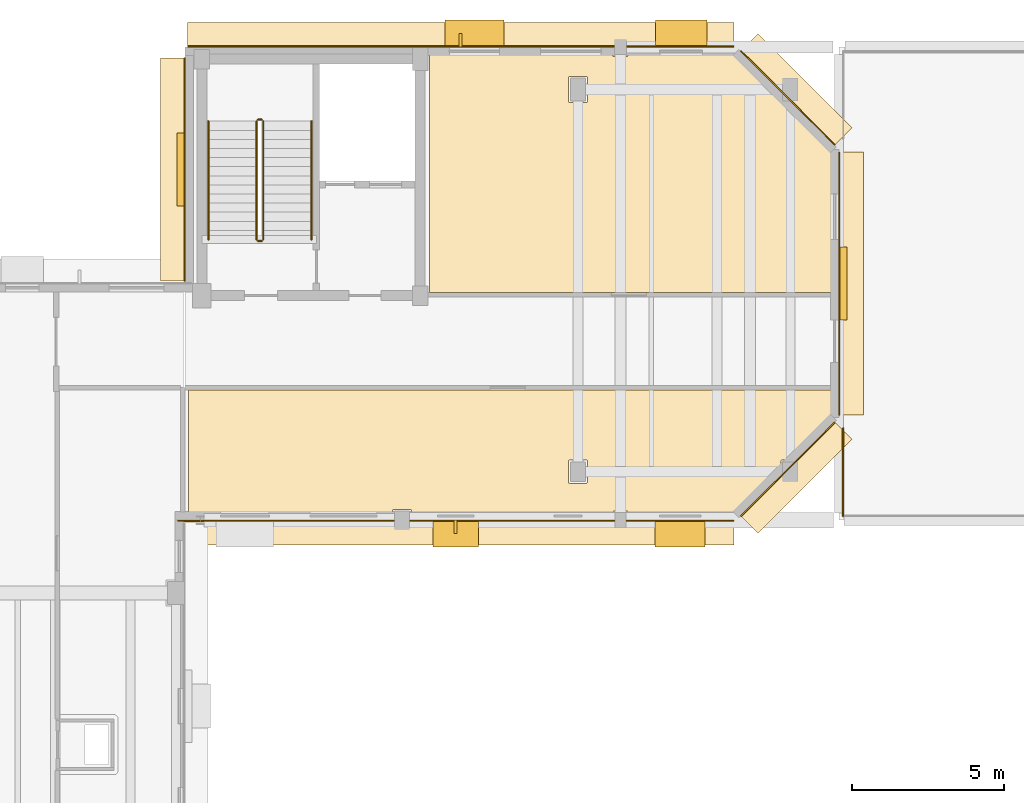
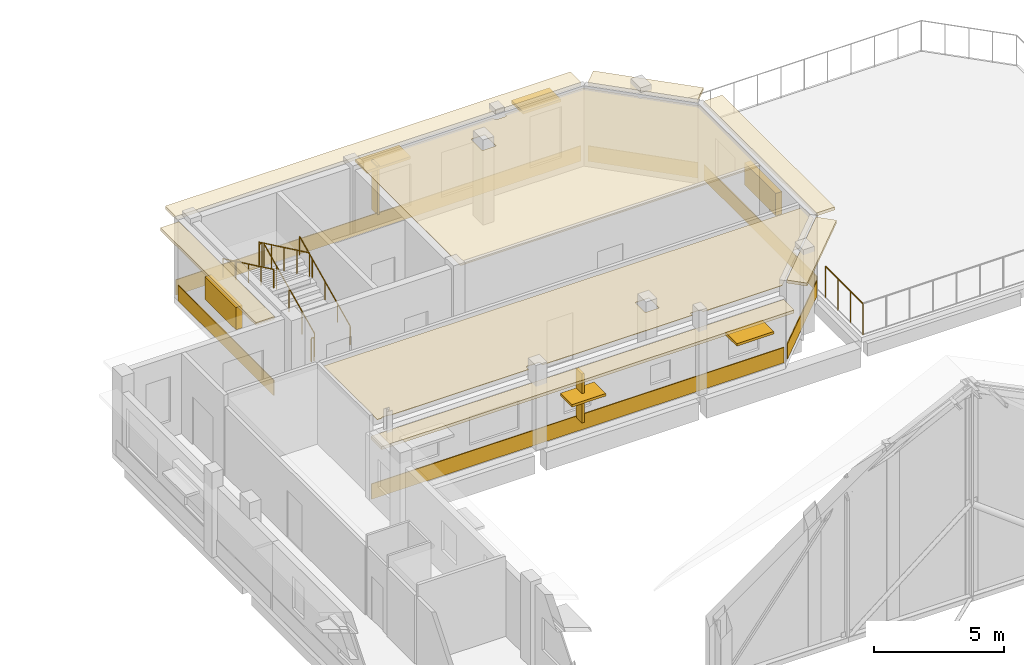
# One storey, part 77 of 78: 14 coverings, 8 shading devices, 7 railings.
"""IFC4 building model written with IfcOpenShell, lengths in metres."""

from ifc_helpers import new_model, si_unit, direction, frame, origin, origin_2d, place, context, subcontext, project, spatial, polyline, rectangle, circle, outline, extrude, material, layer, layer_set, type_object, element, save


model = new_model("IFC4")

# Units and contexts
model_context = context("Model", 3, precision=1e-05, world=origin(), true_north=direction((0.0, 1.0)))
body_context = subcontext(model_context, "Body", "Model", "MODEL_VIEW")
ifc_project = project(units=[si_unit("LENGTHUNIT", "METRE"), si_unit("AREAUNIT", "SQUARE_METRE"), si_unit("VOLUMEUNIT", "CUBIC_METRE"), si_unit("PLANEANGLEUNIT", "RADIAN"), si_unit("MASSUNIT", "GRAM", prefix="KILO")], contexts=[model_context])

# Site, building, storey
site_placement = place(None, origin())
site = spatial("IfcSite", under=ifc_project, at=site_placement, CompositionType="ELEMENT")
building_placement = place(site_placement, origin())
building = spatial("IfcBuilding", under=site, at=building_placement, Name="Kelanivale Promenade Academy", CompositionType="ELEMENT")
storey_placement = place(building_placement, frame((0.0, 0.0, 16.199951171875)))
storey = spatial("IfcBuildingStorey", under=building, at=storey_placement, Name="L04", CompositionType="ELEMENT", Elevation=16.199951171875)

# Coverings
ifc_material_1 = material(Name="Warm ivory Art Deco stucco frieze band 40 mm", Category="masonry")
ifc_layer_1 = layer(ifc_material_1, 0.0400390625)
ifc_layer_set_1 = layer_set([ifc_layer_1], Name="Warm ivory Art Deco stucco frieze band 40 mm")
covering_type_1 = type_object("IfcCoveringType", Name="COV-CLD2 Warm ivory Art Deco stucco frieze ba", PredefinedType="CLADDING", material=ifc_layer_set_1)
covering_1_placement = place(storey_placement, frame((131.76806640625, 96.0, 2.865234375), z_axis=(0.0, 0.0, 1.0), x_axis=(1.0, 0.0, 0.0)))
element("IfcCovering", 1, at=covering_1_placement, inside=storey, type_object=covering_type_1, Name="Art Deco projecting 820 mm streamline sunshade eyebrow ledge", PredefinedType="CLADDING", context=body_context, shape_type="SweptSolid", body=[
    extrude(rectangle(XDim=18.3369140625, YDim=0.820068359375, at=origin_2d()), origin(), (0.0, 0.0, 1.0), 0.139892578125),
])
covering_2_placement = place(storey_placement, frame((131.76806640625, 96.385009765625, 0.06005859375), z_axis=(0.0, 0.0, 1.0), x_axis=(1.0, 0.0, 0.0)))
element("IfcCovering", 2, at=covering_2_placement, inside=storey, type_object=covering_type_1, Name="Art Deco ivory stucco sill frieze band", PredefinedType="CLADDING", context=body_context, shape_type="SweptSolid", body=[
    extrude(rectangle(XDim=18.3369140625, YDim=0.0400390625, at=origin_2d()), origin(), (0.0, 0.0, 1.0), 0.719970703125),
])
covering_3_placement = place(storey_placement, frame((142.991943359375, 97.80810546875, 3.6201171875), z_axis=(0.0, 0.0, 1.0), x_axis=(0.707106781187, 0.707106781187, 0.0)))
element("IfcCovering", 3, at=covering_3_placement, inside=storey, type_object=covering_type_1, Name="Art Deco projecting 820 mm streamline sunshade eyebrow ledge", PredefinedType="CLADDING", context=body_context, shape_type="SweptSolid", body=[
    extrude(rectangle(XDim=4.381103515625, YDim=0.820068359375, at=origin_2d()), origin(), (0.0, 0.0, 1.0), 0.139892578125),
])
covering_4_placement = place(storey_placement, frame((142.719970703125, 98.080078125, 0.06005859375), z_axis=(0.0, 0.0, 1.0), x_axis=(0.707106781187, 0.707106781187, 0.0)))
element("IfcCovering", 4, at=covering_4_placement, inside=storey, type_object=covering_type_1, Name="Art Deco ivory stucco sill frieze band", PredefinedType="CLADDING", context=body_context, shape_type="SweptSolid", body=[
    extrude(rectangle(XDim=4.381103515625, YDim=0.0400390625, at=origin_2d()), origin(), (0.0, 0.0, 1.0), 0.719970703125),
])
covering_5_placement = place(storey_placement, frame((144.800048828125, 104.199951171875, 3.6201171875), z_axis=(0.0, 0.0, 1.0), x_axis=(0.0, 1.0, 0.0)))
element("IfcCovering", 5, at=covering_5_placement, inside=storey, type_object=covering_type_1, Name="Art Deco projecting 820 mm streamline sunshade eyebrow ledge", PredefinedType="CLADDING", context=body_context, shape_type="SweptSolid", body=[
    extrude(rectangle(XDim=8.674072265625, YDim=0.820068359375, at=origin_2d()), origin(), (0.0, 0.0, 1.0), 0.139892578125),
])
covering_6_placement = place(storey_placement, frame((144.4150390625, 104.199951171875, 0.06005859375), z_axis=(0.0, 0.0, 1.0), x_axis=(0.0, 1.0, 0.0)))
element("IfcCovering", 6, at=covering_6_placement, inside=storey, type_object=covering_type_1, Name="Art Deco ivory stucco sill frieze band", PredefinedType="CLADDING", context=body_context, shape_type="SweptSolid", body=[
    extrude(rectangle(XDim=8.674072265625, YDim=0.0400390625, at=origin_2d()), origin(), (0.0, 0.0, 1.0), 0.719970703125),
])
covering_7_placement = place(storey_placement, frame((142.991943359375, 110.592041015625, 3.6201171875), z_axis=(0.0, 0.0, 1.0), x_axis=(-0.707106781187, 0.707106781187, 0.0)))
element("IfcCovering", 7, at=covering_7_placement, inside=storey, type_object=covering_type_1, Name="Art Deco projecting 820 mm streamline sunshade eyebrow ledge", PredefinedType="CLADDING", context=body_context, shape_type="SweptSolid", body=[
    extrude(rectangle(XDim=4.381103515625, YDim=0.820068359375, at=origin_2d()), origin(), (0.0, 0.0, 1.0), 0.139892578125),
])
covering_8_placement = place(storey_placement, frame((142.719970703125, 110.320068359375, 0.06005859375), z_axis=(0.0, 0.0, 1.0), x_axis=(-0.707106781187, 0.707106781187, 0.0)))
element("IfcCovering", 8, at=covering_8_placement, inside=storey, type_object=covering_type_1, Name="Art Deco ivory stucco sill frieze band", PredefinedType="CLADDING", context=body_context, shape_type="SweptSolid", body=[
    extrude(rectangle(XDim=4.381103515625, YDim=0.0400390625, at=origin_2d()), origin(), (0.0, 0.0, 1.0), 0.719970703125),
])
covering_9_placement = place(storey_placement, frame((131.93310546875, 112.39990234375, 3.6201171875), z_axis=(0.0, 0.0, 1.0), x_axis=(-1.0, 0.0, 0.0)))
element("IfcCovering", 9, at=covering_9_placement, inside=storey, type_object=covering_type_1, Name="Art Deco projecting 820 mm streamline sunshade eyebrow ledge", PredefinedType="CLADDING", context=body_context, shape_type="SweptSolid", body=[
    extrude(rectangle(XDim=18.007080078125, YDim=0.820068359375, at=origin_2d()), origin(), (0.0, 0.0, 1.0), 0.139892578125),
])
covering_10_placement = place(storey_placement, frame((131.93310546875, 112.014892578125, 0.06005859375), z_axis=(0.0, 0.0, 1.0), x_axis=(-1.0, 0.0, 0.0)))
element("IfcCovering", 10, at=covering_10_placement, inside=storey, type_object=covering_type_1, Name="Art Deco ivory stucco sill frieze band", PredefinedType="CLADDING", context=body_context, shape_type="SweptSolid", body=[
    extrude(rectangle(XDim=18.007080078125, YDim=0.0400390625, at=origin_2d()), origin(), (0.0, 0.0, 1.0), 0.719970703125),
])
covering_11_placement = place(storey_placement, frame((122.449951171875, 107.9599609375, 3.6201171875), z_axis=(0.0, 0.0, 1.0), x_axis=(0.0, -1.0, 0.0)))
element("IfcCovering", 11, at=covering_11_placement, inside=storey, type_object=covering_type_1, Name="Art Deco projecting 820 mm streamline sunshade eyebrow ledge", PredefinedType="CLADDING", context=body_context, shape_type="SweptSolid", body=[
    extrude(rectangle(XDim=7.360107421875, YDim=0.820068359375, at=origin_2d()), origin(), (0.0, 0.0, 1.0), 0.139892578125),
])
covering_12_placement = place(storey_placement, frame((122.8349609375, 107.9599609375, 0.06005859375), z_axis=(0.0, 0.0, 1.0), x_axis=(0.0, -1.0, 0.0)))
element("IfcCovering", 12, at=covering_12_placement, inside=storey, type_object=covering_type_1, Name="Art Deco ivory stucco sill frieze band", PredefinedType="CLADDING", context=body_context, shape_type="SweptSolid", body=[
    extrude(rectangle(XDim=7.360107421875, YDim=0.0400390625, at=origin_2d()), origin(), (0.0, 0.0, 1.0), 0.719970703125),
])
ifc_material_2 = material(Name="Acoustic mineral-fibre ceiling tile 25 mm", Category="gypsum")
ifc_layer_2 = layer(ifc_material_2, 0.02490234375)
ifc_layer_set_2 = layer_set([ifc_layer_2], Name="Acoustic mineral-fibre ceiling tile 25 mm")
covering_type_2 = type_object("IfcCoveringType", Name="COV-CLG1 Acoustic mineral-fibre ceiling tile ", PredefinedType="CEILING", material=ifc_layer_set_2)
covering_13_placement = place(storey_placement, frame((0.0, 0.0, 3.550048828125)))
element("IfcCovering", 13, at=covering_13_placement, inside=storey, type_object=covering_type_2, Name="Advanced Chemistry Laboratory acoustic suspended ceiling", PredefinedType="CEILING", context=body_context, shape_type="SweptSolid", body=[
    extrude(outline(polyline([(144.25, 99.843017578125), (144.25, 100.68994140625), (122.9599609375, 100.68994140625), (122.9599609375, 96.550048828125), (123.1630859375, 96.550048828125), (123.1630859375, 96.551025390625), (123.1630859375, 96.554931640625), (123.1640625, 96.55908203125), (123.166015625, 96.56201171875), (123.1669921875, 96.56591796875), (123.1689453125, 96.569091796875), (123.172119140625, 96.572021484375), (123.174072265625, 96.574951171875), (123.177001953125, 96.577880859375), (123.179931640625, 96.580078125), (123.18408203125, 96.58203125), (123.18701171875, 96.583984375), (123.19091796875, 96.5849609375), (123.195068359375, 96.5859375), (123.198974609375, 96.5869140625), (123.202880859375, 96.5869140625), (123.4970703125, 96.5869140625), (123.5009765625, 96.5869140625), (123.5048828125, 96.5859375), (123.509033203125, 96.5849609375), (123.512939453125, 96.583984375), (123.51611328125, 96.58203125), (123.52001953125, 96.580078125), (123.52294921875, 96.577880859375), (123.52587890625, 96.574951171875), (123.528076171875, 96.572021484375), (123.531005859375, 96.569091796875), (123.532958984375, 96.56591796875), (123.533935546875, 96.56201171875), (123.535888671875, 96.55908203125), (123.537109375, 96.554931640625), (123.537109375, 96.551025390625), (123.537109375, 96.550048828125), (129.68994140625, 96.550048828125), (129.68994140625, 96.719970703125), (129.68994140625, 96.72412109375), (129.69091796875, 96.72802734375), (129.69189453125, 96.73193359375), (129.693115234375, 96.735107421875), (129.695068359375, 96.739013671875), (129.697021484375, 96.741943359375), (129.698974609375, 96.7451171875), (129.701904296875, 96.748046875), (129.705078125, 96.7509765625), (129.7080078125, 96.7529296875), (129.7109375, 96.7548828125), (129.715087890625, 96.757080078125), (129.718017578125, 96.758056640625), (129.721923828125, 96.759033203125), (129.72607421875, 96.760009765625), (129.72998046875, 96.760009765625), (130.27001953125, 96.760009765625), (130.27392578125, 96.760009765625), (130.278076171875, 96.759033203125), (130.281982421875, 96.758056640625), (130.284912109375, 96.757080078125), (130.2890625, 96.7548828125), (130.2919921875, 96.7529296875), (130.294921875, 96.7509765625), (130.298095703125, 96.748046875), (130.301025390625, 96.7451171875), (130.302978515625, 96.741943359375), (130.304931640625, 96.739013671875), (130.306884765625, 96.735107421875), (130.30810546875, 96.73193359375), (130.30908203125, 96.72802734375), (130.31005859375, 96.72412109375), (130.31005859375, 96.719970703125), (130.31005859375, 96.550048828125), (136.965087890625, 96.550048828125), (136.965087890625, 96.669921875), (136.965087890625, 96.674072265625), (136.966064453125, 96.677978515625), (136.967041015625, 96.681884765625), (136.968017578125, 96.68505859375), (136.969970703125, 96.68896484375), (136.971923828125, 96.69189453125), (136.97412109375, 96.695068359375), (136.97705078125, 96.697998046875), (136.97998046875, 96.700927734375), (136.98291015625, 96.702880859375), (136.986083984375, 96.705078125), (136.989990234375, 96.70703125), (136.992919921875, 96.7080078125), (136.9970703125, 96.708984375), (137.0009765625, 96.7099609375), (137.0048828125, 96.7099609375), (137.39501953125, 96.7099609375), (137.39892578125, 96.7099609375), (137.403076171875, 96.708984375), (137.406982421875, 96.7080078125), (137.409912109375, 96.70703125), (137.4140625, 96.705078125), (137.4169921875, 96.702880859375), (137.419921875, 96.700927734375), (137.423095703125, 96.697998046875), (137.426025390625, 96.695068359375), (137.427978515625, 96.69189453125), (137.429931640625, 96.68896484375), (137.431884765625, 96.68505859375), (137.43310546875, 96.681884765625), (137.43408203125, 96.677978515625), (137.43505859375, 96.674072265625), (137.43505859375, 96.669921875), (137.43505859375, 96.550048828125), (140.95703125, 96.550048828125), (142.489990234375, 98.0830078125), (142.489990234375, 98.344970703125), (142.489990234375, 98.34912109375), (142.490966796875, 98.35302734375), (142.491943359375, 98.35693359375), (142.492919921875, 98.360107421875), (142.4951171875, 98.364013671875), (142.4970703125, 98.366943359375), (142.4990234375, 98.3701171875), (142.501953125, 98.373046875), (142.5048828125, 98.3759765625), (142.508056640625, 98.3779296875), (142.510986328125, 98.3798828125), (142.514892578125, 98.382080078125), (142.51806640625, 98.383056640625), (142.52197265625, 98.384033203125), (142.52587890625, 98.385009765625), (142.530029296875, 98.385009765625), (142.7919921875, 98.385009765625), (144.25, 99.843017578125)]), holes=[polyline([(136.110107421875, 97.655029296875), (136.110107421875, 97.65087890625), (136.10888671875, 97.64697265625), (136.10791015625, 97.64306640625), (136.10693359375, 97.639892578125), (136.10498046875, 97.635986328125), (136.10302734375, 97.633056640625), (136.10107421875, 97.6298828125), (136.097900390625, 97.626953125), (136.094970703125, 97.6240234375), (136.092041015625, 97.6220703125), (136.089111328125, 97.6201171875), (136.0849609375, 97.617919921875), (136.08203125, 97.616943359375), (136.077880859375, 97.615966796875), (136.073974609375, 97.614990234375), (136.070068359375, 97.614990234375), (135.530029296875, 97.614990234375), (135.52587890625, 97.614990234375), (135.52197265625, 97.615966796875), (135.51806640625, 97.616943359375), (135.514892578125, 97.617919921875), (135.510986328125, 97.6201171875), (135.508056640625, 97.6220703125), (135.5048828125, 97.6240234375), (135.501953125, 97.626953125), (135.4990234375, 97.6298828125), (135.4970703125, 97.633056640625), (135.4951171875, 97.635986328125), (135.492919921875, 97.639892578125), (135.491943359375, 97.64306640625), (135.490966796875, 97.64697265625), (135.489990234375, 97.65087890625), (135.489990234375, 97.655029296875), (135.489990234375, 98.344970703125), (135.489990234375, 98.34912109375), (135.490966796875, 98.35302734375), (135.491943359375, 98.35693359375), (135.492919921875, 98.360107421875), (135.4951171875, 98.364013671875), (135.4970703125, 98.366943359375), (135.4990234375, 98.3701171875), (135.501953125, 98.373046875), (135.5048828125, 98.3759765625), (135.508056640625, 98.3779296875), (135.510986328125, 98.3798828125), (135.514892578125, 98.382080078125), (135.51806640625, 98.383056640625), (135.52197265625, 98.384033203125), (135.52587890625, 98.385009765625), (135.530029296875, 98.385009765625), (136.070068359375, 98.385009765625), (136.073974609375, 98.385009765625), (136.077880859375, 98.384033203125), (136.08203125, 98.383056640625), (136.0849609375, 98.382080078125), (136.089111328125, 98.3798828125), (136.092041015625, 98.3779296875), (136.094970703125, 98.3759765625), (136.097900390625, 98.373046875), (136.10107421875, 98.3701171875), (136.10302734375, 98.366943359375), (136.10498046875, 98.364013671875), (136.10693359375, 98.360107421875), (136.10791015625, 98.35693359375), (136.10888671875, 98.35302734375), (136.110107421875, 98.34912109375), (136.110107421875, 98.344970703125), (136.110107421875, 97.655029296875)])]), origin(), (0.0, 0.0, 1.0), 0.02490234375),
])
covering_14_placement = place(storey_placement, frame((0.0, 0.0, 3.550048828125)))
element("IfcCovering", 14, at=covering_14_placement, inside=storey, type_object=covering_type_2, Name="Senior Biology Research Studio acoustic suspended ceiling", PredefinedType="CEILING", context=body_context, shape_type="SweptSolid", body=[
    extrude(outline(polyline([(144.25, 108.556884765625), (142.64208984375, 110.1650390625), (142.530029296875, 110.1650390625), (142.52587890625, 110.1650390625), (142.52197265625, 110.166015625), (142.51806640625, 110.1669921875), (142.514892578125, 110.16796875), (142.510986328125, 110.169921875), (142.508056640625, 110.172119140625), (142.5048828125, 110.174072265625), (142.501953125, 110.177001953125), (142.4990234375, 110.179931640625), (142.4970703125, 110.18310546875), (142.4951171875, 110.18603515625), (142.492919921875, 110.18994140625), (142.491943359375, 110.193115234375), (142.490966796875, 110.197021484375), (142.489990234375, 110.200927734375), (142.489990234375, 110.205078125), (142.489990234375, 110.31689453125), (140.95703125, 111.85009765625), (137.4599609375, 111.85009765625), (137.4599609375, 111.72998046875), (137.4599609375, 111.72607421875), (137.458984375, 111.721923828125), (137.4580078125, 111.718017578125), (137.45703125, 111.715087890625), (137.455078125, 111.7109375), (137.452880859375, 111.7080078125), (137.450927734375, 111.705078125), (137.447998046875, 111.701904296875), (137.445068359375, 111.698974609375), (137.44189453125, 111.697021484375), (137.43896484375, 111.695068359375), (137.43505859375, 111.693115234375), (137.431884765625, 111.69189453125), (137.427978515625, 111.69091796875), (137.424072265625, 111.68994140625), (137.419921875, 111.68994140625), (136.97998046875, 111.68994140625), (136.97607421875, 111.68994140625), (136.971923828125, 111.69091796875), (136.968017578125, 111.69189453125), (136.965087890625, 111.693115234375), (136.9609375, 111.695068359375), (136.9580078125, 111.697021484375), (136.955078125, 111.698974609375), (136.951904296875, 111.701904296875), (136.948974609375, 111.705078125), (136.947021484375, 111.7080078125), (136.945068359375, 111.7109375), (136.943115234375, 111.715087890625), (136.94189453125, 111.718017578125), (136.94091796875, 111.721923828125), (136.93994140625, 111.72607421875), (136.93994140625, 111.72998046875), (136.93994140625, 111.85009765625), (130.909912109375, 111.85009765625), (130.909912109375, 103.909912109375), (144.25, 103.909912109375), (144.25, 108.556884765625)]), holes=[polyline([(136.070068359375, 111.034912109375), (136.073974609375, 111.034912109375), (136.077880859375, 111.033935546875), (136.08203125, 111.032958984375), (136.0849609375, 111.031982421875), (136.089111328125, 111.030029296875), (136.092041015625, 111.028076171875), (136.094970703125, 111.02587890625), (136.097900390625, 111.02294921875), (136.10107421875, 111.02001953125), (136.10302734375, 111.01708984375), (136.10498046875, 111.013916015625), (136.10693359375, 111.010009765625), (136.10791015625, 111.007080078125), (136.10888671875, 111.0029296875), (136.110107421875, 110.9990234375), (136.110107421875, 110.9951171875), (136.110107421875, 110.205078125), (136.110107421875, 110.200927734375), (136.10888671875, 110.197021484375), (136.10791015625, 110.193115234375), (136.10693359375, 110.18994140625), (136.10498046875, 110.18603515625), (136.10302734375, 110.18310546875), (136.10107421875, 110.179931640625), (136.097900390625, 110.177001953125), (136.094970703125, 110.174072265625), (136.092041015625, 110.172119140625), (136.089111328125, 110.169921875), (136.0849609375, 110.16796875), (136.08203125, 110.1669921875), (136.077880859375, 110.166015625), (136.073974609375, 110.1650390625), (136.070068359375, 110.1650390625), (135.530029296875, 110.1650390625), (135.52587890625, 110.1650390625), (135.52197265625, 110.166015625), (135.51806640625, 110.1669921875), (135.514892578125, 110.16796875), (135.510986328125, 110.169921875), (135.508056640625, 110.172119140625), (135.5048828125, 110.174072265625), (135.501953125, 110.177001953125), (135.4990234375, 110.179931640625), (135.4970703125, 110.18310546875), (135.4951171875, 110.18603515625), (135.492919921875, 110.18994140625), (135.491943359375, 110.193115234375), (135.490966796875, 110.197021484375), (135.489990234375, 110.200927734375), (135.489990234375, 110.205078125), (135.489990234375, 110.9951171875), (135.489990234375, 110.9990234375), (135.490966796875, 111.0029296875), (135.491943359375, 111.007080078125), (135.492919921875, 111.010009765625), (135.4951171875, 111.013916015625), (135.4970703125, 111.01708984375), (135.4990234375, 111.02001953125), (135.501953125, 111.02294921875), (135.5048828125, 111.02587890625), (135.508056640625, 111.028076171875), (135.510986328125, 111.030029296875), (135.514892578125, 111.031982421875), (135.51806640625, 111.032958984375), (135.52197265625, 111.033935546875), (135.52587890625, 111.034912109375), (135.530029296875, 111.034912109375), (136.070068359375, 111.034912109375)])]), origin(), (0.0, 0.0, 1.0), 0.02490234375),
])

# Railings
ifc_material_3 = material(Name="Brushed stainless steel grade 316", Category="steel")
railing_type_1 = type_object("IfcRailingType", Name="GR-01 Stair Guard 1100mm", PredefinedType="BALUSTRADE", material=ifc_material_3)
railing_1_placement = place(storey_placement, frame((125.425048828125, 105.655029296875, 0.142822265625)))
element("IfcRailing", 15, at=railing_1_placement, inside=storey, type_object=railing_type_1, Name="L04 ST-05 stair guard 1", PredefinedType="BALUSTRADE", context=body_context, shape_type="SweptSolid", body=[
    extrude(circle(Radius=0.02392578125, at=origin_2d()), frame((0.0, 0.0, 1.09619140625), z_axis=(0.0, 0.902853205547, 0.429948937937), x_axis=(-1.0, 0.0, 0.0)), (0.0, 0.0, 1.0), 4.319580078125),
    extrude(circle(Radius=0.02099609375, at=origin_2d()), origin(), (0.0, 0.0, 1.0), 1.072021484375),
    extrude(circle(Radius=0.02099609375, at=origin_2d()), frame((0.0, 0.97509765625, 0.46435546875)), (0.0, 0.0, 1.0), 1.072021484375),
    extrude(circle(Radius=0.02099609375, at=origin_2d()), frame((0.0, 1.949951171875, 0.9287109375)), (0.0, 0.0, 1.0), 1.072021484375),
    extrude(circle(Radius=0.02099609375, at=origin_2d()), frame((0.0, 2.9248046875, 1.392822265625)), (0.0, 0.0, 1.0), 1.072021484375),
    extrude(circle(Radius=0.02099609375, at=origin_2d()), frame((0.0, 3.89990234375, 1.857177734375)), (0.0, 0.0, 1.0), 1.072021484375),
])
railing_2_placement = place(storey_placement, frame((125.375, 109.60498046875, 2.0)))
element("IfcRailing", 16, at=railing_2_placement, inside=storey, type_object=railing_type_1, Name="L04 ST-05 stair guard 2", PredefinedType="BALUSTRADE", context=body_context, shape_type="SweptSolid", body=[
    extrude(circle(Radius=0.02392578125, at=origin_2d()), frame((0.0, 0.0, 1.09619140625), z_axis=(-1.0, 0.0, 0.0), x_axis=(0.0, -1.0, 0.0)), (0.0, 0.0, 1.0), 0.1201171875),
    extrude(circle(Radius=0.02099609375, at=origin_2d()), origin(), (0.0, 0.0, 1.0), 1.072021484375),
    extrude(circle(Radius=0.02099609375, at=origin_2d()), frame((-0.1201171875, 0.0, 0.0)), (0.0, 0.0, 1.0), 1.072021484375),
])
railing_3_placement = place(storey_placement, frame((125.205078125, 109.554931640625, 2.142822265625)))
element("IfcRailing", 17, at=railing_3_placement, inside=storey, type_object=railing_type_1, Name="L04 ST-05 stair guard 3", PredefinedType="BALUSTRADE", context=body_context, shape_type="SweptSolid", body=[
    extrude(circle(Radius=0.02392578125, at=origin_2d()), frame((0.0, 0.0, 1.09619140625), z_axis=(0.0, -0.902853205547, 0.429948937937), x_axis=(1.0, 0.0, 0.0)), (0.0, 0.0, 1.0), 4.319580078125),
    extrude(circle(Radius=0.02099609375, at=origin_2d()), origin(), (0.0, 0.0, 1.0), 1.072021484375),
    extrude(circle(Radius=0.02099609375, at=origin_2d()), frame((0.0, -0.97509765625, 0.46435546875)), (0.0, 0.0, 1.0), 1.072021484375),
    extrude(circle(Radius=0.02099609375, at=origin_2d()), frame((0.0, -1.949951171875, 0.9287109375)), (0.0, 0.0, 1.0), 1.072021484375),
    extrude(circle(Radius=0.02099609375, at=origin_2d()), frame((0.0, -2.9248046875, 1.392822265625)), (0.0, 0.0, 1.0), 1.072021484375),
    extrude(circle(Radius=0.02099609375, at=origin_2d()), frame((0.0, -3.89990234375, 1.857177734375)), (0.0, 0.0, 1.0), 1.072021484375),
])
railing_4_placement = place(storey_placement, frame((125.375, 105.60498046875, 0.0)))
element("IfcRailing", 18, at=railing_4_placement, inside=storey, type_object=railing_type_1, Name="L04 ST-05 stair guard 4", PredefinedType="BALUSTRADE", context=body_context, shape_type="SweptSolid", body=[
    extrude(circle(Radius=0.02392578125, at=origin_2d()), frame((0.0, 0.0, 1.09619140625), z_axis=(-1.0, 0.0, 0.0), x_axis=(0.0, -1.0, 0.0)), (0.0, 0.0, 1.0), 0.1201171875),
    extrude(circle(Radius=0.02099609375, at=origin_2d()), origin(), (0.0, 0.0, 1.0), 1.072021484375),
    extrude(circle(Radius=0.02099609375, at=origin_2d()), frame((-0.1201171875, 0.0, 0.0)), (0.0, 0.0, 1.0), 1.072021484375),
])
ifc_material_4 = material(Name="Powder-coated galvanized steel and stainless top rail", Category="steel")
railing_type_2 = type_object("IfcRailingType", Name="GR-02 Play Deck Balustrade 1500mm", PredefinedType="BALUSTRADE", material=ifc_material_4)
railing_5_placement = place(storey_placement, frame((144.5400390625, 96.5400390625, 0.0)))
element("IfcRailing", 19, at=railing_5_placement, inside=storey, type_object=railing_type_2, Name="Science Mezzanine Rooftop Play Deck 1500 mm safety balustrade", PredefinedType="BALUSTRADE", context=body_context, shape_type="SweptSolid", body=[
    extrude(circle(Radius=0.02392578125, at=origin_2d()), frame((0.0, 0.0, 1.47607421875), z_axis=(0.0, 1.0, 0.0), x_axis=(-1.0, 0.0, 0.0)), (0.0, 0.0, 1.0), 2.885986328125),
    extrude(circle(Radius=0.02099609375, at=origin_2d()), origin(), (0.0, 0.0, 1.0), 1.451904296875),
    extrude(circle(Radius=0.02099609375, at=origin_2d()), frame((0.0, 0.9619140625, 0.0)), (0.0, 0.0, 1.0), 1.451904296875),
    extrude(circle(Radius=0.02099609375, at=origin_2d()), frame((0.0, 1.924072265625, 0.0)), (0.0, 0.0, 1.0), 1.451904296875),
    extrude(circle(Radius=0.02099609375, at=origin_2d()), frame((0.0, 2.885986328125, 0.0)), (0.0, 0.0, 1.0), 1.451904296875),
])
railing_type_3 = type_object("IfcRailingType", Name="HR-01 Pitch Handrail 900mm", PredefinedType="HANDRAIL", material=ifc_material_3)
railing_6_placement = place(storey_placement, frame((127.014892578125, 105.655029296875, 0.142822265625)))
element("IfcRailing", 20, at=railing_6_placement, inside=storey, type_object=railing_type_3, Name="L04 ST-05 stair handrail 1", PredefinedType="HANDRAIL", context=body_context, shape_type="SweptSolid", body=[
    extrude(circle(Radius=0.02392578125, at=origin_2d()), frame((0.0, 0.0, 0.8759765625), z_axis=(0.0, 0.902853205547, 0.429948937937), x_axis=(-1.0, 0.0, 0.0)), (0.0, 0.0, 1.0), 4.319580078125),
    extrude(circle(Radius=0.02099609375, at=origin_2d()), origin(), (0.0, 0.0, 1.0), 0.851806640625),
    extrude(circle(Radius=0.02099609375, at=origin_2d()), frame((0.0, 0.97509765625, 0.46435546875)), (0.0, 0.0, 1.0), 0.851806640625),
    extrude(circle(Radius=0.02099609375, at=origin_2d()), frame((0.0, 1.949951171875, 0.9287109375)), (0.0, 0.0, 1.0), 0.851806640625),
    extrude(circle(Radius=0.02099609375, at=origin_2d()), frame((0.0, 2.9248046875, 1.392822265625)), (0.0, 0.0, 1.0), 0.851806640625),
    extrude(circle(Radius=0.02099609375, at=origin_2d()), frame((0.0, 3.89990234375, 1.857177734375)), (0.0, 0.0, 1.0), 0.851806640625),
])
railing_7_placement = place(storey_placement, frame((123.614990234375, 109.554931640625, 2.142822265625)))
element("IfcRailing", 21, at=railing_7_placement, inside=storey, type_object=railing_type_3, Name="L04 ST-05 stair handrail 2", PredefinedType="HANDRAIL", context=body_context, shape_type="SweptSolid", body=[
    extrude(circle(Radius=0.02392578125, at=origin_2d()), frame((0.0, 0.0, 0.8759765625), z_axis=(0.0, -0.902853205547, 0.429948937937), x_axis=(1.0, 0.0, 0.0)), (0.0, 0.0, 1.0), 4.319580078125),
    extrude(circle(Radius=0.02099609375, at=origin_2d()), origin(), (0.0, 0.0, 1.0), 0.851806640625),
    extrude(circle(Radius=0.02099609375, at=origin_2d()), frame((0.0, -0.97509765625, 0.46435546875)), (0.0, 0.0, 1.0), 0.851806640625),
    extrude(circle(Radius=0.02099609375, at=origin_2d()), frame((0.0, -1.949951171875, 0.9287109375)), (0.0, 0.0, 1.0), 0.851806640625),
    extrude(circle(Radius=0.02099609375, at=origin_2d()), frame((0.0, -2.9248046875, 1.392822265625)), (0.0, 0.0, 1.0), 0.851806640625),
    extrude(circle(Radius=0.02099609375, at=origin_2d()), frame((0.0, -3.89990234375, 1.857177734375)), (0.0, 0.0, 1.0), 0.851806640625),
])

# Shading devices
ifc_material_5 = material(Name="Precast concrete C40/50", Category="concrete")
ifc_layer_3 = layer(ifc_material_5, 0.1201171875)
ifc_layer_set_3 = layer_set([ifc_layer_3], Name="Precast concrete C40/50")
shading_device_type_1 = type_object("IfcShadingDeviceType", Name="SHD-01 Art Deco Sunshade Eyebrow 900mm", PredefinedType="USERDEFINED", material=ifc_layer_set_3)
shading_device_1_placement = place(storey_placement, frame((131.76904296875, 95.9599609375, 1.9599609375), z_axis=(0.0, 0.0, 1.0), x_axis=(1.0, 0.0, 0.0)))
element("IfcShadingDevice", 22, at=shading_device_1_placement, inside=storey, type_object=shading_device_type_1, Name="Art Deco 900 mm precast chajja window sunshade", ObjectType="SUNSHADE", PredefinedType="USERDEFINED", context=body_context, shape_type="SweptSolid", body=[
    extrude(rectangle(XDim=1.5, YDim=0.89990234375, at=origin_2d()), origin(), (0.0, 0.0, 1.0), 0.1201171875),
])
shading_device_2_placement = place(storey_placement, frame((139.1669921875, 95.9599609375, 2.260009765625), z_axis=(0.0, 0.0, 1.0), x_axis=(1.0, 0.0, 0.0)))
element("IfcShadingDevice", 23, at=shading_device_2_placement, inside=storey, type_object=shading_device_type_1, Name="Art Deco 900 mm precast chajja window sunshade", ObjectType="SUNSHADE", PredefinedType="USERDEFINED", context=body_context, shape_type="SweptSolid", body=[
    extrude(rectangle(XDim=1.64990234375, YDim=0.89990234375, at=origin_2d()), origin(), (0.0, 0.0, 1.0), 0.1201171875),
])
shading_device_3_placement = place(storey_placement, frame((139.199951171875, 112.43994140625, 3.159912109375), z_axis=(0.0, 0.0, 1.0), x_axis=(-1.0, 0.0, 0.0)))
element("IfcShadingDevice", 24, at=shading_device_3_placement, inside=storey, type_object=shading_device_type_1, Name="Art Deco 900 mm precast chajja window sunshade", ObjectType="SUNSHADE", PredefinedType="USERDEFINED", context=body_context, shape_type="SweptSolid", body=[
    extrude(rectangle(XDim=1.699951171875, YDim=0.89990234375, at=origin_2d()), origin(), (0.0, 0.0, 1.0), 0.1201171875),
])
shading_device_4_placement = place(storey_placement, frame((132.383056640625, 112.43994140625, 2.81005859375), z_axis=(0.0, 0.0, 1.0), x_axis=(-1.0, 0.0, 0.0)))
element("IfcShadingDevice", 25, at=shading_device_4_placement, inside=storey, type_object=shading_device_type_1, Name="Art Deco 900 mm precast chajja window sunshade", ObjectType="SUNSHADE", PredefinedType="USERDEFINED", context=body_context, shape_type="SweptSolid", body=[
    extrude(rectangle(XDim=1.949951171875, YDim=0.89990234375, at=origin_2d()), origin(), (0.0, 0.0, 1.0), 0.1201171875),
])
ifc_material_6 = material(Name="Bronze anodised aluminium EN AW-6063 T6", Category="aluminium")
ifc_layer_4 = layer(ifc_material_6, 0.080078125)
ifc_layer_set_4 = layer_set([ifc_layer_4], Name="Bronze anodised aluminium EN AW-6063 T6")
shading_device_type_2 = type_object("IfcShadingDeviceType", Name="SHD-02 Perforated Brise-Soleil Screen", PredefinedType="JALOUSIE", material=ifc_layer_set_4)
for number, where, z_axis, x_axis, name in (
    (26, (144.534912109375, 104.199951171875, 1.72509765625), (0.0, 0.0, 1.0), (0.0, 1.0, 0.0), "Perforated Art Deco brise-soleil louvre screen"),
    (27, (122.715087890625, 107.9599609375, 1.72509765625), (0.0, 0.0, 1.0), (0.0, -1.0, 0.0), "Perforated Art Deco brise-soleil louvre screen"),
):
    element("IfcShadingDevice", number, at=place(storey_placement, frame(where, z_axis=z_axis, x_axis=x_axis)), inside=storey, type_object=shading_device_type_2, Name=name, PredefinedType="JALOUSIE", context=body_context, shape_type="SweptSolid", body=[
        extrude(rectangle(XDim=2.39990234375, YDim=0.280029296875, at=origin_2d()), origin(), (0.0, 0.0, 1.0), 1.050048828125),
    ])
ifc_layer_5 = layer(ifc_material_6, 0.10009765625)
ifc_layer_set_5 = layer_set([ifc_layer_5], Name="Bronze anodised aluminium EN AW-6063 T6")
shading_device_type_3 = type_object("IfcShadingDeviceType", Name="SHD-03 Vertical Fluted Solar Fin", PredefinedType="USERDEFINED", material=ifc_layer_set_5)
for number, where, z_axis, x_axis, name in (
    (28, (131.76806640625, 96.179931640625, 0.7001953125), (0.0, 0.0, 1.0), (1.0, 0.0, 0.0), "Vertical fluted Art Deco solar fin"),
    (29, (131.93310546875, 112.219970703125, 0.7001953125), (0.0, 0.0, 1.0), (-1.0, 0.0, 0.0), "Vertical fluted Art Deco solar fin"),
):
    element("IfcShadingDevice", number, at=place(storey_placement, frame(where, z_axis=z_axis, x_axis=x_axis)), inside=storey, type_object=shading_device_type_3, Name=name, ObjectType="SOLAR FIN", PredefinedType="USERDEFINED", context=body_context, shape_type="SweptSolid", body=[
        extrude(rectangle(XDim=0.10009765625, YDim=0.449951171875, at=origin_2d()), origin(), (0.0, 0.0, 1.0), 2.300048828125),
    ])

save(model, "model.ifc")
